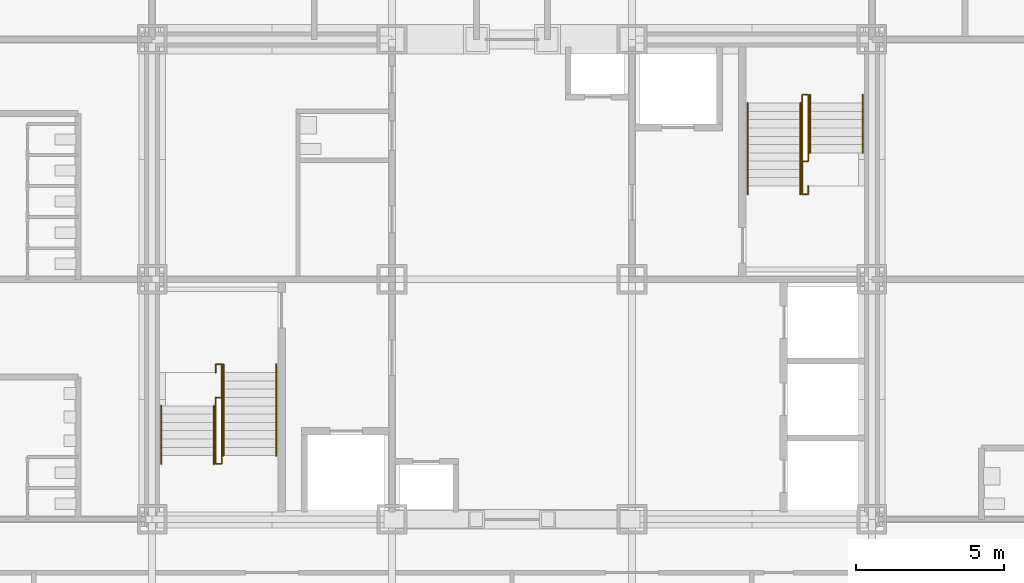
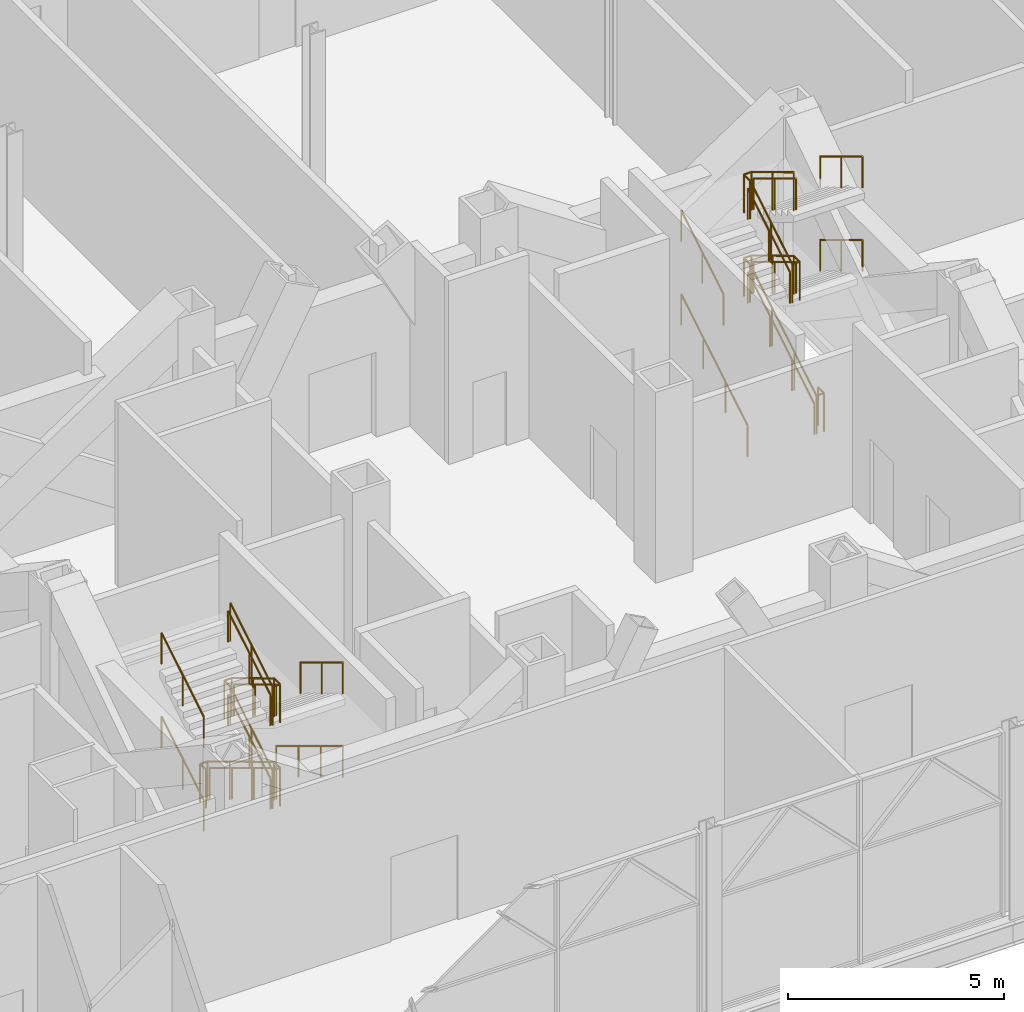
# One storey, part 25 of 26: 18 railings.
"""IFC4 building model written with IfcOpenShell, lengths in metres."""

from ifc_helpers import new_model, si_unit, direction, frame, origin, origin_2d, place, context, subcontext, project, spatial, circle, extrude, material, type_object, element, save


model = new_model("IFC4")

# Units and contexts
model_context = context("Model", 3, precision=1e-05, world=origin(), true_north=direction((0.0, 1.0)))
body_context = subcontext(model_context, "Body", "Model", "MODEL_VIEW")
ifc_project = project(units=[si_unit("LENGTHUNIT", "METRE"), si_unit("AREAUNIT", "SQUARE_METRE"), si_unit("VOLUMEUNIT", "CUBIC_METRE"), si_unit("PLANEANGLEUNIT", "RADIAN"), si_unit("MASSUNIT", "GRAM", prefix="KILO")], contexts=[model_context])

# Site, building, storey
site_placement = place(None, origin())
site = spatial("IfcSite", under=ifc_project, at=site_placement, CompositionType="ELEMENT")
building_placement = place(site_placement, origin())
building = spatial("IfcBuilding", under=site, at=building_placement, Name="Kopane Lantern Tower", CompositionType="ELEMENT")
storey_placement = place(building_placement, frame((0.0, 0.0, 293.10009765625)))
storey = spatial("IfcBuildingStorey", under=building, at=storey_placement, Name="L75", CompositionType="ELEMENT", Elevation=293.10009765625)

# Railings
ifc_material_1 = material(Name="Steel", Category="steel")
railing_type_1 = type_object("IfcRailingType", Name="STAIR GUARD 1100", PredefinedType="GUARDRAIL", material=ifc_material_1)
railing_1_placement = place(storey_placement, frame((18.35009765625, 29.25, 0.0)))
element("IfcRailing", 1, at=railing_1_placement, inside=storey, type_object=railing_type_1, Name="ST1 well guard L75", PredefinedType="GUARDRAIL", context=body_context, shape_type="SweptSolid", body=[
    extrude(circle(Radius=0.02392578125, at=origin_2d()), frame((0.0, 0.0, 1.076171875), z_axis=(0.0, 1.0, 0.0), x_axis=(-1.0, 0.0, 0.0)), (0.0, 0.0, 1.0), 0.280029296875),
    extrude(circle(Radius=0.02392578125, at=origin_2d()), frame((0.0, 0.280029296875, 1.076171875), z_axis=(1.0, 0.0, 0.0), x_axis=(0.0, 1.0, 0.0)), (0.0, 0.0, 1.0), 0.199951171875),
    extrude(circle(Radius=0.02392578125, at=origin_2d()), frame((0.199951171875, 0.280029296875, 1.076171875), z_axis=(0.0, -0.856490936558, 0.516162063304), x_axis=(1.0, 0.0, 0.0)), (0.0, 0.0, 1.0), 3.59619140625),
    extrude(circle(Radius=0.02392578125, at=origin_2d()), frame((0.199951171875, -2.800048828125, 2.93212890625), z_axis=(0.0, -1.0, 0.0), x_axis=(1.0, 0.0, 0.0)), (0.0, 0.0, 1.0), 0.280029296875),
    extrude(circle(Radius=0.02392578125, at=origin_2d()), frame((0.199951171875, -3.080078125, 2.93212890625), z_axis=(-1.0, 0.0, 0.0), x_axis=(0.0, -1.0, 0.0)), (0.0, 0.0, 1.0), 0.199951171875),
    extrude(circle(Radius=0.02392578125, at=origin_2d()), frame((0.0, -3.080078125, 2.93212890625), z_axis=(0.0, 0.856493463811, 0.516157869696), x_axis=(-1.0, 0.0, 0.0)), (0.0, 0.0, 1.0), 2.288330078125),
    extrude(circle(Radius=0.02392578125, at=origin_2d()), frame((0.0, -1.1201171875, 4.11328125), z_axis=(0.0, 1.0, 0.0), x_axis=(-1.0, 0.0, 0.0)), (0.0, 0.0, 1.0), 0.280029296875),
    extrude(circle(Radius=0.02392578125, at=origin_2d()), frame((0.0, -0.840087890625, 4.11328125), z_axis=(1.0, 0.0, 0.0), x_axis=(0.0, 1.0, 0.0)), (0.0, 0.0, 1.0), 0.199951171875),
    extrude(circle(Radius=0.02392578125, at=origin_2d()), frame((0.199951171875, -0.840087890625, 4.11328125), z_axis=(0.0, -0.856493463811, 0.516157869696), x_axis=(1.0, 0.0, 0.0)), (0.0, 0.0, 1.0), 2.288330078125),
    extrude(circle(Radius=0.02392578125, at=origin_2d()), frame((0.199951171875, -2.800048828125, 5.29443359375), z_axis=(0.0, -1.0, 0.0), x_axis=(1.0, 0.0, 0.0)), (0.0, 0.0, 1.0), 0.280029296875),
    extrude(circle(Radius=0.02392578125, at=origin_2d()), frame((0.199951171875, -3.080078125, 5.29443359375), z_axis=(-1.0, 0.0, 0.0), x_axis=(0.0, -1.0, 0.0)), (0.0, 0.0, 1.0), 0.199951171875),
    extrude(circle(Radius=0.02392578125, at=origin_2d()), frame((0.0, -3.080078125, 5.29443359375), z_axis=(0.0, 0.856446297458, 0.516236127728), x_axis=(-1.0, 0.0, 0.0)), (0.0, 0.0, 1.0), 2.28857421875),
    extrude(circle(Radius=0.02099609375, at=origin_2d()), origin(), (0.0, 0.0, 1.0), 1.052001953125),
    extrude(circle(Radius=0.02099609375, at=origin_2d()), frame((0.0, 0.280029296875, 0.0)), (0.0, 0.0, 1.0), 1.052001953125),
    extrude(circle(Radius=0.02099609375, at=origin_2d()), frame((0.199951171875, 0.280029296875, 0.0)), (0.0, 0.0, 1.0), 1.052001953125),
    extrude(circle(Radius=0.02099609375, at=origin_2d()), frame((0.199951171875, -0.74658203125, 0.61865234375)), (0.0, 0.0, 1.0), 1.052001953125),
    extrude(circle(Radius=0.02099609375, at=origin_2d()), frame((0.199951171875, -1.7734375, 1.237548828125)), (0.0, 0.0, 1.0), 1.052001953125),
    extrude(circle(Radius=0.02099609375, at=origin_2d()), frame((0.199951171875, -2.800048828125, 1.856201171875)), (0.0, 0.0, 1.0), 1.052001953125),
    extrude(circle(Radius=0.02099609375, at=origin_2d()), frame((0.199951171875, -3.080078125, 1.856201171875)), (0.0, 0.0, 1.0), 1.052001953125),
    extrude(circle(Radius=0.02099609375, at=origin_2d()), frame((0.0, -3.080078125, 1.856201171875)), (0.0, 0.0, 1.0), 1.052001953125),
    extrude(circle(Radius=0.02099609375, at=origin_2d()), frame((0.0, -2.10009765625, 2.44677734375)), (0.0, 0.0, 1.0), 1.052001953125),
    extrude(circle(Radius=0.02099609375, at=origin_2d()), frame((0.0, -1.1201171875, 3.037353515625)), (0.0, 0.0, 1.0), 1.052001953125),
    extrude(circle(Radius=0.02099609375, at=origin_2d()), frame((0.0, -0.840087890625, 3.037353515625)), (0.0, 0.0, 1.0), 1.052001953125),
    extrude(circle(Radius=0.02099609375, at=origin_2d()), frame((0.199951171875, -0.840087890625, 3.037353515625)), (0.0, 0.0, 1.0), 1.052001953125),
    extrude(circle(Radius=0.02099609375, at=origin_2d()), frame((0.199951171875, -1.820068359375, 3.6279296875)), (0.0, 0.0, 1.0), 1.052001953125),
    extrude(circle(Radius=0.02099609375, at=origin_2d()), frame((0.199951171875, -2.800048828125, 4.218505859375)), (0.0, 0.0, 1.0), 1.052001953125),
    extrude(circle(Radius=0.02099609375, at=origin_2d()), frame((0.199951171875, -3.080078125, 4.218505859375)), (0.0, 0.0, 1.0), 1.052001953125),
    extrude(circle(Radius=0.02099609375, at=origin_2d()), frame((0.0, -3.080078125, 4.218505859375)), (0.0, 0.0, 1.0), 1.052001953125),
    extrude(circle(Radius=0.02099609375, at=origin_2d()), frame((0.0, -2.10009765625, 4.80908203125)), (0.0, 0.0, 1.0), 1.052001953125),
    extrude(circle(Radius=0.02099609375, at=origin_2d()), frame((0.0, -1.1201171875, 5.39990234375)), (0.0, 0.0, 1.0), 1.052001953125),
])
railing_2_placement = place(storey_placement, frame((38.35009765625, 35.550048828125, 0.0)))
element("IfcRailing", 2, at=railing_2_placement, inside=storey, type_object=railing_type_1, Name="ST2 well guard L75", PredefinedType="GUARDRAIL", context=body_context, shape_type="SweptSolid", body=[
    extrude(circle(Radius=0.02392578125, at=origin_2d()), frame((0.0, 0.0, 1.076171875), z_axis=(0.0, -1.0, 0.0), x_axis=(1.0, 0.0, 0.0)), (0.0, 0.0, 1.0), 0.280029296875),
    extrude(circle(Radius=0.02392578125, at=origin_2d()), frame((0.0, -0.280029296875, 1.076171875), z_axis=(-1.0, 0.0, 0.0), x_axis=(0.0, -1.0, 0.0)), (0.0, 0.0, 1.0), 0.2001953125),
    extrude(circle(Radius=0.02392578125, at=origin_2d()), frame((-0.2001953125, -0.280029296875, 1.076171875), z_axis=(0.0, 0.856490936558, 0.516162063304), x_axis=(-1.0, 0.0, 0.0)), (0.0, 0.0, 1.0), 3.59619140625),
    extrude(circle(Radius=0.02392578125, at=origin_2d()), frame((-0.2001953125, 2.800048828125, 2.93212890625), z_axis=(0.0, 1.0, 0.0), x_axis=(-1.0, 0.0, 0.0)), (0.0, 0.0, 1.0), 0.27978515625),
    extrude(circle(Radius=0.02392578125, at=origin_2d()), frame((-0.2001953125, 3.079833984375, 2.93212890625), z_axis=(1.0, 0.0, 0.0), x_axis=(0.0, 1.0, 0.0)), (0.0, 0.0, 1.0), 0.2001953125),
    extrude(circle(Radius=0.02392578125, at=origin_2d()), frame((0.0, 3.079833984375, 2.93212890625), z_axis=(0.0, -0.856493463811, 0.516157869696), x_axis=(1.0, 0.0, 0.0)), (0.0, 0.0, 1.0), 2.288330078125),
    extrude(circle(Radius=0.02392578125, at=origin_2d()), frame((0.0, 1.119873046875, 4.11328125), z_axis=(0.0, -1.0, 0.0), x_axis=(1.0, 0.0, 0.0)), (0.0, 0.0, 1.0), 0.280029296875),
    extrude(circle(Radius=0.02392578125, at=origin_2d()), frame((0.0, 0.83984375, 4.11328125), z_axis=(-1.0, 0.0, 0.0), x_axis=(0.0, -1.0, 0.0)), (0.0, 0.0, 1.0), 0.2001953125),
    extrude(circle(Radius=0.02392578125, at=origin_2d()), frame((-0.2001953125, 0.83984375, 4.11328125), z_axis=(0.0, 0.856521883693, 0.516110707847), x_axis=(-1.0, 0.0, 0.0)), (0.0, 0.0, 1.0), 2.28857421875),
    extrude(circle(Radius=0.02392578125, at=origin_2d()), frame((-0.2001953125, 2.800048828125, 5.29443359375), z_axis=(0.0, 1.0, 0.0), x_axis=(-1.0, 0.0, 0.0)), (0.0, 0.0, 1.0), 0.27978515625),
    extrude(circle(Radius=0.02392578125, at=origin_2d()), frame((-0.2001953125, 3.079833984375, 5.29443359375), z_axis=(1.0, 0.0, 0.0), x_axis=(0.0, 1.0, 0.0)), (0.0, 0.0, 1.0), 0.2001953125),
    extrude(circle(Radius=0.02392578125, at=origin_2d()), frame((0.0, 3.079833984375, 5.29443359375), z_axis=(0.0, -0.856446297458, 0.516236127728), x_axis=(1.0, 0.0, 0.0)), (0.0, 0.0, 1.0), 2.28857421875),
    extrude(circle(Radius=0.02099609375, at=origin_2d()), origin(), (0.0, 0.0, 1.0), 1.052001953125),
    extrude(circle(Radius=0.02099609375, at=origin_2d()), frame((0.0, -0.280029296875, 0.0)), (0.0, 0.0, 1.0), 1.052001953125),
    extrude(circle(Radius=0.02099609375, at=origin_2d()), frame((-0.2001953125, -0.280029296875, 0.0)), (0.0, 0.0, 1.0), 1.052001953125),
    extrude(circle(Radius=0.02099609375, at=origin_2d()), frame((-0.2001953125, 0.74658203125, 0.61865234375)), (0.0, 0.0, 1.0), 1.052001953125),
    extrude(circle(Radius=0.02099609375, at=origin_2d()), frame((-0.2001953125, 1.7734375, 1.237548828125)), (0.0, 0.0, 1.0), 1.052001953125),
    extrude(circle(Radius=0.02099609375, at=origin_2d()), frame((-0.2001953125, 2.800048828125, 1.856201171875)), (0.0, 0.0, 1.0), 1.052001953125),
    extrude(circle(Radius=0.02099609375, at=origin_2d()), frame((-0.2001953125, 3.079833984375, 1.856201171875)), (0.0, 0.0, 1.0), 1.052001953125),
    extrude(circle(Radius=0.02099609375, at=origin_2d()), frame((0.0, 3.079833984375, 1.856201171875)), (0.0, 0.0, 1.0), 1.052001953125),
    extrude(circle(Radius=0.02099609375, at=origin_2d()), frame((0.0, 2.099853515625, 2.44677734375)), (0.0, 0.0, 1.0), 1.052001953125),
    extrude(circle(Radius=0.02099609375, at=origin_2d()), frame((0.0, 1.119873046875, 3.037353515625)), (0.0, 0.0, 1.0), 1.052001953125),
    extrude(circle(Radius=0.02099609375, at=origin_2d()), frame((0.0, 0.83984375, 3.037353515625)), (0.0, 0.0, 1.0), 1.052001953125),
    extrude(circle(Radius=0.02099609375, at=origin_2d()), frame((-0.2001953125, 0.83984375, 3.037353515625)), (0.0, 0.0, 1.0), 1.052001953125),
    extrude(circle(Radius=0.02099609375, at=origin_2d()), frame((-0.2001953125, 1.81982421875, 3.6279296875)), (0.0, 0.0, 1.0), 1.052001953125),
    extrude(circle(Radius=0.02099609375, at=origin_2d()), frame((-0.2001953125, 2.800048828125, 4.218505859375)), (0.0, 0.0, 1.0), 1.052001953125),
    extrude(circle(Radius=0.02099609375, at=origin_2d()), frame((-0.2001953125, 3.079833984375, 4.218505859375)), (0.0, 0.0, 1.0), 1.052001953125),
    extrude(circle(Radius=0.02099609375, at=origin_2d()), frame((0.0, 3.079833984375, 4.218505859375)), (0.0, 0.0, 1.0), 1.052001953125),
    extrude(circle(Radius=0.02099609375, at=origin_2d()), frame((0.0, 2.099853515625, 4.80908203125)), (0.0, 0.0, 1.0), 1.052001953125),
    extrude(circle(Radius=0.02099609375, at=origin_2d()), frame((0.0, 1.119873046875, 5.39990234375)), (0.0, 0.0, 1.0), 1.052001953125),
])
ifc_material_2 = material(Name="Steel", Category="steel")
railing_type_2 = type_object("IfcRailingType", Name="STAIR HANDRAIL 900", PredefinedType="HANDRAIL", material=ifc_material_2)
for number, where, name in (
    (3, (20.389892578125, 29.530029296875, 0.0), "ST1 handrail L75 flight 1"),
    (4, (18.610107421875, 29.530029296875, 0.0), "ST1 handrail L75 flight 1"),
):
    element("IfcRailing", number, at=place(storey_placement, frame(where)), inside=storey, type_object=railing_type_2, Name=name, PredefinedType="HANDRAIL", context=body_context, shape_type="SweptSolid", body=[
        extrude(circle(Radius=0.02392578125, at=origin_2d()), frame((0.0, 0.0, 0.8759765625), z_axis=(0.0, -0.856490936558, 0.516162063304), x_axis=(1.0, 0.0, 0.0)), (0.0, 0.0, 1.0), 3.59619140625),
        extrude(circle(Radius=0.02099609375, at=origin_2d()), origin(), (0.0, 0.0, 1.0), 0.851806640625),
        extrude(circle(Radius=0.02099609375, at=origin_2d()), frame((0.0, -1.026611328125, 0.61865234375)), (0.0, 0.0, 1.0), 0.851806640625),
        extrude(circle(Radius=0.02099609375, at=origin_2d()), frame((0.0, -2.053466796875, 1.237548828125)), (0.0, 0.0, 1.0), 0.851806640625),
        extrude(circle(Radius=0.02099609375, at=origin_2d()), frame((0.0, -3.080078125, 1.856201171875)), (0.0, 0.0, 1.0), 0.851806640625),
    ])
for number, where, name in (
    (5, (16.510009765625, 26.169921875, 1.856201171875), "ST1 handrail L75 flight 2"),
    (6, (18.2900390625, 26.169921875, 1.856201171875), "ST1 handrail L75 flight 2"),
):
    element("IfcRailing", number, at=place(storey_placement, frame(where)), inside=storey, type_object=railing_type_2, Name=name, PredefinedType="HANDRAIL", context=body_context, shape_type="SweptSolid", body=[
        extrude(circle(Radius=0.02392578125, at=origin_2d()), frame((0.0, 0.0, 0.8759765625), z_axis=(0.0, 0.856493463811, 0.516157869696), x_axis=(-1.0, 0.0, 0.0)), (0.0, 0.0, 1.0), 2.288330078125),
        extrude(circle(Radius=0.02099609375, at=origin_2d()), origin(), (0.0, 0.0, 1.0), 0.851806640625),
        extrude(circle(Radius=0.02099609375, at=origin_2d()), frame((0.0, 0.97998046875, 0.590576171875)), (0.0, 0.0, 1.0), 0.851806640625),
        extrude(circle(Radius=0.02099609375, at=origin_2d()), frame((0.0, 1.9599609375, 1.18115234375)), (0.0, 0.0, 1.0), 0.851806640625),
    ])
for number, where, name in (
    (7, (20.389892578125, 28.409912109375, 3.037353515625), "ST1 handrail L75 flight 3"),
    (8, (18.610107421875, 28.409912109375, 3.037353515625), "ST1 handrail L75 flight 3"),
):
    element("IfcRailing", number, at=place(storey_placement, frame(where)), inside=storey, type_object=railing_type_2, Name=name, PredefinedType="HANDRAIL", context=body_context, shape_type="SweptSolid", body=[
        extrude(circle(Radius=0.02392578125, at=origin_2d()), frame((0.0, 0.0, 0.8759765625), z_axis=(0.0, -0.856493463811, 0.516157869696), x_axis=(1.0, 0.0, 0.0)), (0.0, 0.0, 1.0), 2.288330078125),
        extrude(circle(Radius=0.02099609375, at=origin_2d()), origin(), (0.0, 0.0, 1.0), 0.851806640625),
        extrude(circle(Radius=0.02099609375, at=origin_2d()), frame((0.0, -0.97998046875, 0.590576171875)), (0.0, 0.0, 1.0), 0.851806640625),
        extrude(circle(Radius=0.02099609375, at=origin_2d()), frame((0.0, -1.9599609375, 1.18115234375)), (0.0, 0.0, 1.0), 0.851806640625),
    ])
for number, where, name in (
    (9, (16.510009765625, 26.169921875, 4.218505859375), "ST1 handrail L75 flight 4"),
    (10, (18.2900390625, 26.169921875, 4.218505859375), "ST1 handrail L75 flight 4"),
):
    element("IfcRailing", number, at=place(storey_placement, frame(where)), inside=storey, type_object=railing_type_2, Name=name, PredefinedType="HANDRAIL", context=body_context, shape_type="SweptSolid", body=[
        extrude(circle(Radius=0.02392578125, at=origin_2d()), frame((0.0, 0.0, 0.8759765625), z_axis=(0.0, 0.856446297458, 0.516236127728), x_axis=(-1.0, 0.0, 0.0)), (0.0, 0.0, 1.0), 2.28857421875),
        extrude(circle(Radius=0.02099609375, at=origin_2d()), origin(), (0.0, 0.0, 1.0), 0.851806640625),
        extrude(circle(Radius=0.02099609375, at=origin_2d()), frame((0.0, 0.97998046875, 0.5908203125)), (0.0, 0.0, 1.0), 0.851806640625),
        extrude(circle(Radius=0.02099609375, at=origin_2d()), frame((0.0, 1.9599609375, 1.181396484375)), (0.0, 0.0, 1.0), 0.851806640625),
    ])
for number, where, name in (
    (11, (36.31005859375, 35.27001953125, 0.0), "ST2 handrail L75 flight 1"),
    (12, (38.090087890625, 35.27001953125, 0.0), "ST2 handrail L75 flight 1"),
):
    element("IfcRailing", number, at=place(storey_placement, frame(where)), inside=storey, type_object=railing_type_2, Name=name, PredefinedType="HANDRAIL", context=body_context, shape_type="SweptSolid", body=[
        extrude(circle(Radius=0.02392578125, at=origin_2d()), frame((0.0, 0.0, 0.8759765625), z_axis=(0.0, 0.856490936558, 0.516162063304), x_axis=(-1.0, 0.0, 0.0)), (0.0, 0.0, 1.0), 3.59619140625),
        extrude(circle(Radius=0.02099609375, at=origin_2d()), origin(), (0.0, 0.0, 1.0), 0.851806640625),
        extrude(circle(Radius=0.02099609375, at=origin_2d()), frame((0.0, 1.026611328125, 0.61865234375)), (0.0, 0.0, 1.0), 0.851806640625),
        extrude(circle(Radius=0.02099609375, at=origin_2d()), frame((0.0, 2.053466796875, 1.237548828125)), (0.0, 0.0, 1.0), 0.851806640625),
        extrude(circle(Radius=0.02099609375, at=origin_2d()), frame((0.0, 3.080078125, 1.856201171875)), (0.0, 0.0, 1.0), 0.851806640625),
    ])
for number, where, name in (
    (13, (40.18994140625, 38.6298828125, 1.856201171875), "ST2 handrail L75 flight 2"),
    (14, (38.409912109375, 38.6298828125, 1.856201171875), "ST2 handrail L75 flight 2"),
):
    element("IfcRailing", number, at=place(storey_placement, frame(where)), inside=storey, type_object=railing_type_2, Name=name, PredefinedType="HANDRAIL", context=body_context, shape_type="SweptSolid", body=[
        extrude(circle(Radius=0.02392578125, at=origin_2d()), frame((0.0, 0.0, 0.8759765625), z_axis=(0.0, -0.856493463811, 0.516157869696), x_axis=(1.0, 0.0, 0.0)), (0.0, 0.0, 1.0), 2.288330078125),
        extrude(circle(Radius=0.02099609375, at=origin_2d()), origin(), (0.0, 0.0, 1.0), 0.851806640625),
        extrude(circle(Radius=0.02099609375, at=origin_2d()), frame((0.0, -0.97998046875, 0.590576171875)), (0.0, 0.0, 1.0), 0.851806640625),
        extrude(circle(Radius=0.02099609375, at=origin_2d()), frame((0.0, -1.9599609375, 1.18115234375)), (0.0, 0.0, 1.0), 0.851806640625),
    ])
for number, where, name in (
    (15, (36.31005859375, 36.389892578125, 3.037353515625), "ST2 handrail L75 flight 3"),
    (16, (38.090087890625, 36.389892578125, 3.037353515625), "ST2 handrail L75 flight 3"),
):
    element("IfcRailing", number, at=place(storey_placement, frame(where)), inside=storey, type_object=railing_type_2, Name=name, PredefinedType="HANDRAIL", context=body_context, shape_type="SweptSolid", body=[
        extrude(circle(Radius=0.02392578125, at=origin_2d()), frame((0.0, 0.0, 0.8759765625), z_axis=(0.0, 0.856521883693, 0.516110707847), x_axis=(-1.0, 0.0, 0.0)), (0.0, 0.0, 1.0), 2.28857421875),
        extrude(circle(Radius=0.02099609375, at=origin_2d()), origin(), (0.0, 0.0, 1.0), 0.851806640625),
        extrude(circle(Radius=0.02099609375, at=origin_2d()), frame((0.0, 0.97998046875, 0.590576171875)), (0.0, 0.0, 1.0), 0.851806640625),
        extrude(circle(Radius=0.02099609375, at=origin_2d()), frame((0.0, 1.960205078125, 1.18115234375)), (0.0, 0.0, 1.0), 0.851806640625),
    ])
for number, where, name in (
    (17, (40.18994140625, 38.6298828125, 4.218505859375), "ST2 handrail L75 flight 4"),
    (18, (38.409912109375, 38.6298828125, 4.218505859375), "ST2 handrail L75 flight 4"),
):
    element("IfcRailing", number, at=place(storey_placement, frame(where)), inside=storey, type_object=railing_type_2, Name=name, PredefinedType="HANDRAIL", context=body_context, shape_type="SweptSolid", body=[
        extrude(circle(Radius=0.02392578125, at=origin_2d()), frame((0.0, 0.0, 0.8759765625), z_axis=(0.0, -0.856446297458, 0.516236127728), x_axis=(1.0, 0.0, 0.0)), (0.0, 0.0, 1.0), 2.28857421875),
        extrude(circle(Radius=0.02099609375, at=origin_2d()), origin(), (0.0, 0.0, 1.0), 0.851806640625),
        extrude(circle(Radius=0.02099609375, at=origin_2d()), frame((0.0, -0.97998046875, 0.5908203125)), (0.0, 0.0, 1.0), 0.851806640625),
        extrude(circle(Radius=0.02099609375, at=origin_2d()), frame((0.0, -1.9599609375, 1.181396484375)), (0.0, 0.0, 1.0), 0.851806640625),
    ])

save(model, "model.ifc")
